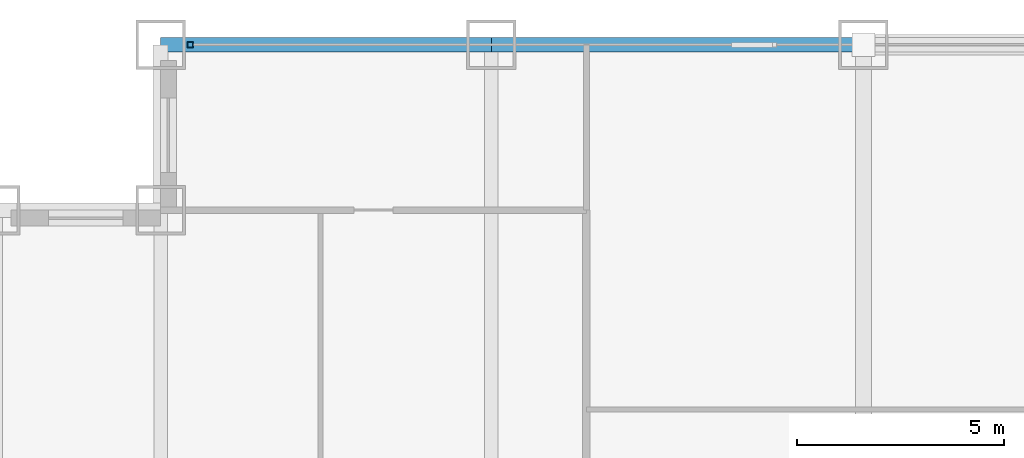
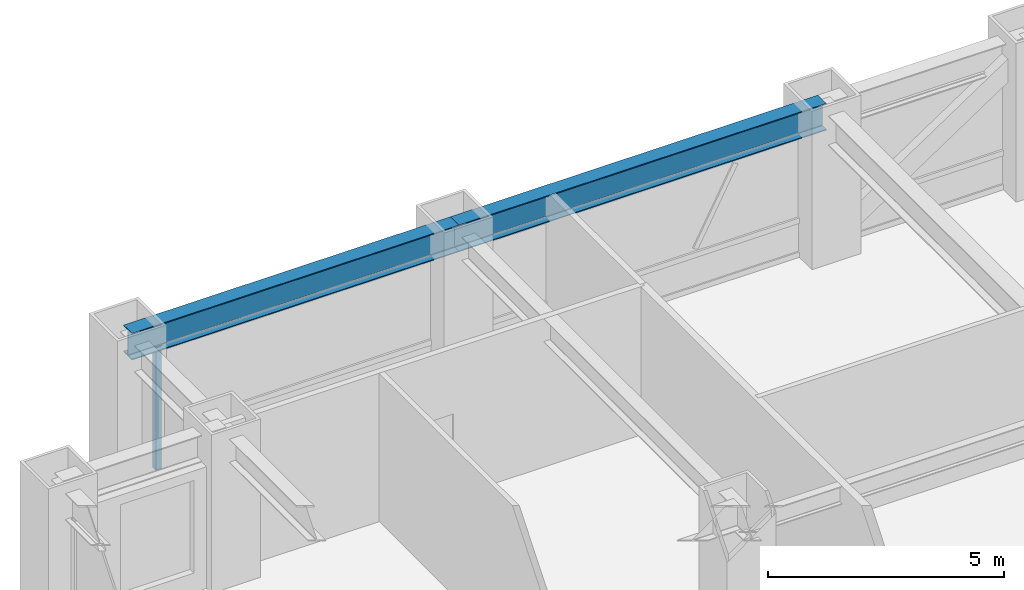
# One storey, part 17 of 27: 2 beams, 1 member, 1 element without a shape of its own.
"""IFC4 building model written with IfcOpenShell, lengths in metres."""

from ifc_helpers import new_model, si_unit, direction, frame, origin, origin_2d, place, context, subcontext, project, spatial, hollow_rectangle, i_section, extrude, source, transform, mapped, material, material_profile, profile_set, type_object, element, aggregate, save


model = new_model("IFC4")

# Units and contexts
model_context = context("Model", 3, precision=1e-05, world=origin(), true_north=direction((0.0, 1.0)))
body_context = subcontext(model_context, "Body", "Model", "MODEL_VIEW")
ifc_project = project(units=[si_unit("LENGTHUNIT", "METRE"), si_unit("AREAUNIT", "SQUARE_METRE"), si_unit("VOLUMEUNIT", "CUBIC_METRE"), si_unit("PLANEANGLEUNIT", "RADIAN"), si_unit("MASSUNIT", "GRAM", prefix="KILO")], contexts=[model_context])

# Site, building, storey
site_placement = place(None, origin())
site = spatial("IfcSite", under=ifc_project, at=site_placement, CompositionType="ELEMENT")
building_placement = place(site_placement, origin())
building = spatial("IfcBuilding", under=site, at=building_placement, Name="Khorayat Bourse Tower", CompositionType="ELEMENT")
storey_placement = place(building_placement, frame((0.0, 0.0, 103.699951171875)))
storey = spatial("IfcBuildingStorey", under=building, at=storey_placement, Name="L23", CompositionType="ELEMENT", Elevation=103.699951171875)

# Beams
ifc_material_1 = material(Name="Steel ASTM A992 Grade 50", Category="steel")
ifc_material_profile_1 = material_profile(ifc_material_1, i_section(OverallWidth=0.35498046875, OverallDepth=0.695068359375, WebThickness=0.015380859375, FlangeThickness=0.02490234375, FilletRadius=0.01806640625, at=origin_2d()), Name="W690X217")
ifc_profile_set_1 = profile_set([ifc_material_profile_1], Name="Steel ASTM A992 Grade 50")
beam_type = type_object("IfcBeamType", Name="BM-SPAN-690", PredefinedType="SPANDREL", material=ifc_profile_set_1)
shared_shape_1 = source(origin(), body_context, "Body", "SweptSolid", [
    extrude(i_section(OverallWidth=0.35498046875, OverallDepth=0.695068359375, WebThickness=0.015380859375, FlangeThickness=0.02490234375, FilletRadius=0.01806640625, at=origin_2d()), origin(), (0.0, 0.0, 1.0), 9.0),
])
beam_1_placement = place(storey_placement, frame((-20.0, 32.0, 3.492431640625), z_axis=(1.0, 0.0, 0.0), x_axis=(0.0, 1.0, 0.0)))
element("IfcBeam", 1, at=beam_1_placement, inside=storey, type_object=beam_type, Name="L23 BM-SPAN-690 BM-L23-SPN-050", PredefinedType="SPANDREL", context=body_context, shape_type="MappedRepresentation", body=[
    mapped(shared_shape_1, transform((0.0, 0.0, 0.0), scale=1.0)),
])
shared_shape_2 = source(origin(), body_context, "Body", "SweptSolid", [
    extrude(i_section(OverallWidth=0.35498046875, OverallDepth=0.695068359375, WebThickness=0.015380859375, FlangeThickness=0.02490234375, FilletRadius=0.01806640625, at=origin_2d()), origin(), (0.0, 0.0, 1.0), 8.0),
])
beam_2_placement = place(storey_placement, frame((-28.0, 32.0, 3.492431640625), z_axis=(1.0, 0.0, 0.0), x_axis=(0.0, 1.0, 0.0)))
element("IfcBeam", 2, at=beam_2_placement, inside=storey, type_object=beam_type, Name="L23 BM-SPAN-690 BM-L23-SPN-051", PredefinedType="SPANDREL", context=body_context, shape_type="MappedRepresentation", body=[
    mapped(shared_shape_2, transform((0.0, 0.0, 0.0), scale=1.0)),
])

# Curtain wall, member
ifc_material_2 = material(Name="Aluminium EN AW-6063 T6", Category="aluminium")
curtain_wall_type = type_object("IfcCurtainWallType", Name="CW-SYS-02", PredefinedType="NOTDEFINED", material=ifc_material_2)
curtain_wall_placement = place(storey_placement, origin())
curtain_wall = element("IfcCurtainWall", 3, at=curtain_wall_placement, inside=storey, type_object=curtain_wall_type, Name="L23 Curtain Wall CW-L23-N1", PredefinedType="NOTDEFINED")
ifc_material_profile_2 = material_profile(ifc_material_2, hollow_rectangle(XDim=0.139892578125, YDim=0.139892578125, WallThickness=0.006103515625, at=origin_2d()), Name="ALU 140x140x6")
ifc_profile_set_2 = profile_set([ifc_material_profile_2], Name="Aluminium EN AW-6063 T6")
member_type = type_object("IfcMemberType", Name="CWM-VERT-140", PredefinedType="MULLION", material=ifc_profile_set_2)
shared_shape_3 = source(origin(), body_context, "Body", "SweptSolid", [
    extrude(hollow_rectangle(XDim=0.139892578125, YDim=0.139892578125, WallThickness=0.006103515625, at=origin_2d()), origin(), (0.0, 0.0, 1.0), 3.18994140625),
])
member_placement = place(storey_placement, frame((-27.280029296875, 32.0, 0.0), z_axis=(0.0, 0.0, 1.0), x_axis=(0.0, 1.0, 0.0)))
member = element("IfcMember", 4, at=member_placement, type_object=member_type, Name="CW-L23-N1 Vertical Mullion 1", PredefinedType="MULLION", context=body_context, shape_type="MappedRepresentation", body=[
    mapped(shared_shape_3, transform((0.0, 0.0, 0.0), scale=1.0)),
])
aggregate(curtain_wall, [member])

save(model, "model.ifc")
